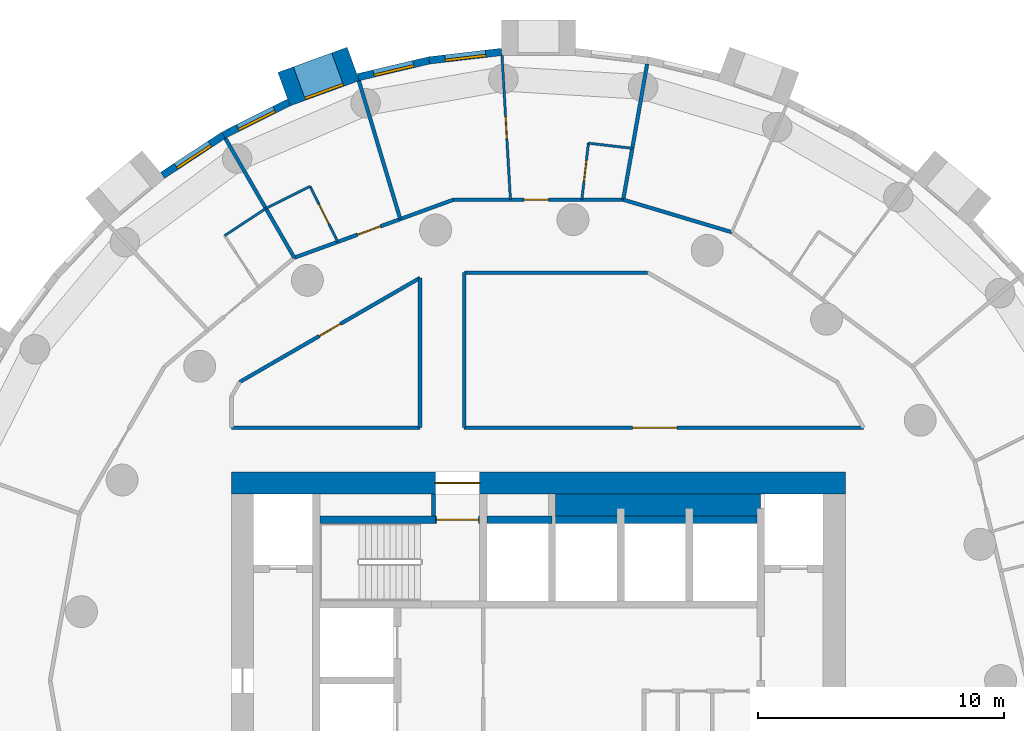
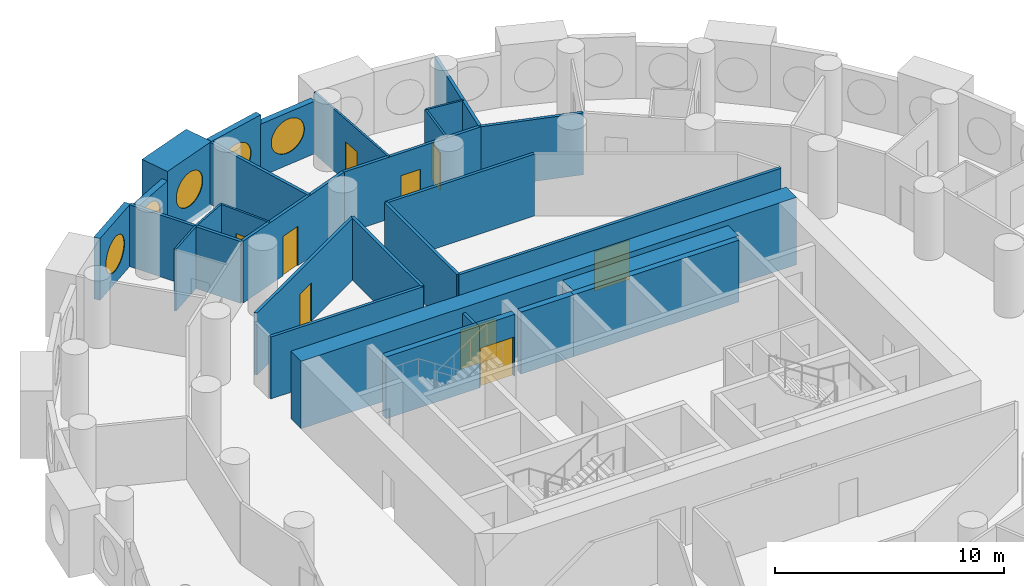
# One storey, part 6 of 9: 30 walls, 9 doors, 5 windows, 14 openings.
"""IFC4 building model written with IfcOpenShell, lengths in metres."""

import ifcopenshell
import ifcopenshell.guid

model = None  # the IFC model being written
_history = None  # IfcOwnerHistory: only IFC2X3 demands one
_inside = {}  # id of a spatial element -> (the spatial element, [elements in it])
_under = {}  # id of a project, library or spatial element -> (it, [spatial elements below it])
_declared = {}  # id of a project -> (the project, [libraries it declares])
_typed = {}  # id of a type object -> (the type object, [elements of that type])
_made_of = {}  # id of a material, layer set ... -> (it, [elements and type objects made of it])


def new_model(schema):
    """Start an empty IFC model of exactly this schema.

    Asked for "IFC4X3", IfcOpenShell would pick the latest addendum, in which some entities
    have other attributes; the version numbers below select the first issue.
    IFC2X3 requires an IfcOwnerHistory on every rooted entity: one is made here for all.
    """
    global model, _history
    if schema == "IFC4X3":
        model = ifcopenshell.file(schema_version=(4, 3, 0, 0))
    else:
        model = ifcopenshell.file(schema=schema)
    _inside.clear()
    _under.clear()
    _declared.clear()
    _typed.clear()
    _made_of.clear()
    _history = None
    if model.schema == "IFC2X3":
        org = make("IfcOrganization", Name="unknown")
        user = make(
            "IfcPersonAndOrganization",
            ThePerson=make("IfcPerson", FamilyName="unknown"),
            TheOrganization=org,
        )
        app = make(
            "IfcApplication",
            ApplicationDeveloper=org,
            Version="unknown",
            ApplicationFullName="unknown",
            ApplicationIdentifier="unknown",
        )
        _history = make(
            "IfcOwnerHistory",
            OwningUser=user,
            OwningApplication=app,
            ChangeAction="ADDED",
            CreationDate=0,
        )
    return model


def make(cls, **values):
    """One entity of the class cls with the attributes given. An attribute that is None is left unset."""
    return model.create_entity(
        cls, **{name: value for name, value in values.items() if value is not None}
    )


def rooted(cls, **values):
    """An entity with a GlobalId (a new one), such as an element, a storey or a relation."""
    return make(cls, GlobalId=ifcopenshell.guid.new(), OwnerHistory=_history, **values)


def si_unit(unit_type, name, prefix=None):
    """IfcSIUnit, for example si_unit("LENGTHUNIT", "METRE", prefix="MILLI")."""
    return make("IfcSIUnit", UnitType=unit_type, Prefix=prefix, Name=name)


def assignment(units):
    """IfcUnitAssignment: the units of a project."""
    return None if units is None else make("IfcUnitAssignment", Units=units)


def point(xyz):
    """IfcCartesianPoint."""
    return None if xyz is None else make("IfcCartesianPoint", Coordinates=xyz)


def direction(xyz):
    """IfcDirection."""
    return None if xyz is None else make("IfcDirection", DirectionRatios=xyz)


def frame(location, z_axis=None, x_axis=None):
    """IfcAxis2Placement3D, a coordinate frame: its origin and axes. An axis left out is left unset."""
    return make(
        "IfcAxis2Placement3D",
        Location=point(location),
        Axis=direction(z_axis),
        RefDirection=direction(x_axis),
    )


def frame_2d(location, x_axis=None):
    """IfcAxis2Placement2D, a coordinate frame in the plane: its origin and x axis."""
    return make(
        "IfcAxis2Placement2D", Location=point(location), RefDirection=direction(x_axis)
    )


def origin():
    """The frame at (0, 0, 0) with its axes left unset."""
    return frame((0.0, 0.0, 0.0))


def origin_2d():
    """The frame at (0, 0) in the plane with its x axis left unset."""
    return frame_2d((0.0, 0.0))


def place(relative_to, where):
    """IfcLocalPlacement: puts the frame where relative to a parent placement (None: the world)."""
    return make(
        "IfcLocalPlacement", PlacementRelTo=relative_to, RelativePlacement=where
    )


def context(
    kind, dimensions, precision=None, world=None, true_north=None, identifier=None
):
    """IfcGeometricRepresentationContext, for example the 3D "Model" context."""
    return make(
        "IfcGeometricRepresentationContext",
        ContextIdentifier=identifier,
        ContextType=kind,
        CoordinateSpaceDimension=dimensions,
        Precision=precision,
        WorldCoordinateSystem=world,
        TrueNorth=true_north,
    )


def subcontext(parent, identifier, kind, view, scale=None):
    """IfcGeometricRepresentationSubContext, for example "Body" below "Model"."""
    return make(
        "IfcGeometricRepresentationSubContext",
        ContextIdentifier=identifier,
        ContextType=kind,
        ParentContext=parent,
        TargetScale=scale,
        TargetView=view,
    )


def project(units=None, contexts=None):
    """IfcProject with its units and contexts."""
    return rooted(
        "IfcProject",
        Name="project",
        RepresentationContexts=contexts,
        UnitsInContext=assignment(units),
    )


def spatial(cls, under=None, at=None, **own):
    """A site, building, storey or space (cls), placed at a placement, below another one or the project."""
    s = rooted(cls, ObjectPlacement=at, **own)
    if under is not None:
        _under.setdefault(under.id(), (under, []))[1].append(s)
    return s


def profile(cls, at=None, kind="AREA", **sizes):
    """A parametric profile (cls). Its sizes go by their IFC names, for example OverallWidth=200.0."""
    return make(cls, ProfileType=kind, Position=at, **sizes)


def rectangle(**sizes):
    """IfcRectangleProfileDef."""
    return profile("IfcRectangleProfileDef", **sizes)


def circle(**sizes):
    """IfcCircleProfileDef."""
    return profile("IfcCircleProfileDef", **sizes)


def extrude(swept, where, along, depth):
    """IfcExtrudedAreaSolid: the profile swept, set in the frame where, extruded along a direction by depth."""
    return make(
        "IfcExtrudedAreaSolid",
        SweptArea=swept,
        Position=where,
        ExtrudedDirection=direction(along),
        Depth=depth,
    )


def shape(context_of_items, identifier, shape_type, items):
    """IfcShapeRepresentation: the items that make up one representation, for example the "Body"."""
    return make(
        "IfcShapeRepresentation",
        ContextOfItems=context_of_items,
        RepresentationIdentifier=identifier,
        RepresentationType=shape_type,
        Items=items,
    )


def material(Name=None, Category=None):
    """IfcMaterial."""
    return make("IfcMaterial", Name=Name, Category=Category)


def layer(
    of_material, thickness, ventilated=None, Name=None, Category=None, Priority=None
):
    """IfcMaterialLayer: one layer of a wall or slab, of a material (None: an air gap)."""
    return make(
        "IfcMaterialLayer",
        Material=of_material,
        LayerThickness=thickness,
        IsVentilated=ventilated,
        Name=Name,
        Category=Category,
        Priority=Priority,
    )


def layer_set(layers, Name=None):
    """IfcMaterialLayerSet."""
    return make("IfcMaterialLayerSet", MaterialLayers=layers, LayerSetName=Name)


def made_of(thing, what):
    """Note that an element or type object is made of a material, layer set ...; save() writes the relation."""
    if what is not None:
        _made_of.setdefault(what.id(), (what, []))[1].append(thing)
    return thing


def type_object(cls, material=None, **own):
    """A type object (cls), such as IfcWallType, which elements share."""
    return made_of(rooted(cls, **own), material)


def element(
    cls,
    number,
    at=None,
    inside=None,
    cuts=None,
    type_object=None,
    material=None,
    context=None,
    identifier="Body",
    shape_type=None,
    held_by="IfcProductDefinitionShape",
    body=None,
    shapes=None,
    **own,
):
    """One element of the class cls, such as IfcWall. Its Tag is "e" and its number.

    at: its placement. inside: the storey or other place that contains it. cuts: it is an
    opening in that element (IfcRelVoidsElement). A single representation is given by context,
    identifier, shape_type and body (its items); several are given by shapes. held_by: the class
    of the entity that holds the representations. save() writes the other relations.
    """
    e = rooted(cls, Tag="e%d" % number, ObjectPlacement=at, **own)
    if body is not None:
        shapes = [shape(context, identifier, shape_type, body)]
    if shapes is not None:
        e.Representation = make(held_by, Representations=shapes)
    if inside is not None:
        _inside.setdefault(inside.id(), (inside, []))[1].append(e)
    if cuts is not None:
        rooted(
            "IfcRelVoidsElement", RelatingBuildingElement=cuts, RelatedOpeningElement=e
        )
    if type_object is not None:
        _typed.setdefault(type_object.id(), (type_object, []))[1].append(e)
    return made_of(e, material)


def fill(opening, filler):
    """IfcRelFillsElement: the door or window that sits in an opening."""
    return rooted(
        "IfcRelFillsElement",
        RelatingOpeningElement=opening,
        RelatedBuildingElement=filler,
    )


def aggregate(whole, parts):
    """IfcRelAggregates: a whole, such as a stair, and the parts it consists of."""
    return rooted("IfcRelAggregates", RelatingObject=whole, RelatedObjects=parts)


def save(model, path):
    """Write the relations noted so far, then the file.

    IfcRelAggregates (storeys below a building ...), IfcRelContainedInSpatialStructure (elements
    in a storey), IfcRelDefinesByType, IfcRelAssociatesMaterial and IfcRelDeclares: one each for
    every whole, place, type object, material and project.
    """
    for whole, parts in _under.values():
        aggregate(whole, parts)
    for where, things in _inside.values():
        rooted(
            "IfcRelContainedInSpatialStructure",
            RelatedElements=things,
            RelatingStructure=where,
        )
    for kind, things in _typed.values():
        rooted("IfcRelDefinesByType", RelatedObjects=things, RelatingType=kind)
    for what, things in _made_of.values():
        rooted("IfcRelAssociatesMaterial", RelatedObjects=things, RelatingMaterial=what)
    for by, libraries in _declared.values():
        rooted("IfcRelDeclares", RelatingContext=by, RelatedDefinitions=libraries)
    model.write(path)


model = new_model("IFC4")

# Units and contexts
model_context = context("Model", 3, precision=1e-05, world=origin(), true_north=direction((0.0, 1.0)))
body_context = subcontext(model_context, "Body", "Model", "MODEL_VIEW")
ifc_project = project(units=[si_unit("LENGTHUNIT", "METRE"), si_unit("AREAUNIT", "SQUARE_METRE"), si_unit("VOLUMEUNIT", "CUBIC_METRE"), si_unit("PLANEANGLEUNIT", "RADIAN"), si_unit("MASSUNIT", "GRAM", prefix="KILO")], contexts=[model_context])

# Site, building, storey
site_placement = place(None, origin())
site = spatial("IfcSite", under=ifc_project, at=site_placement, CompositionType="ELEMENT")
building_placement = place(site_placement, origin())
building = spatial("IfcBuilding", under=site, at=building_placement, Name="Tracery Tower", CompositionType="ELEMENT")
storey_placement = place(building_placement, frame((0.0, 0.0, 172.800048828125)))
storey = spatial("IfcBuildingStorey", under=building, at=storey_placement, Name="L44", CompositionType="ELEMENT", Elevation=172.800048828125)

# Walls
ifc_material_1 = material(Name="Plasterboard on steel studs", Category="steel")
ifc_layer_1 = layer(ifc_material_1, 0.14990234375)
ifc_layer_set_1 = layer_set([ifc_layer_1], Name="Core room partition 150")
wall_type_1 = type_object("IfcWallType", Name="Core room partition 150", PredefinedType="SOLIDWALL", material=ifc_layer_set_1)
wall_1_placement = place(storey_placement, frame((-4.27490234375, 6.699951171875, 0.0), z_axis=(0.0, 0.0, 1.0), x_axis=(0.0, 1.0, 0.0)))
element("IfcWall", 1, at=wall_1_placement, inside=storey, type_object=wall_type_1, Name="L44 F N room", PredefinedType="SOLIDWALL", context=body_context, shape_type="SweptSolid", body=[
    extrude(rectangle(XDim=0.900146484375, YDim=0.14990234375, at=frame_2d((0.4501953125, 0.0))), origin(), (0.0, 0.0, 1.0), 3.300048828125),
])
ifc_material_2 = material(Name="Concrete C50/60", Category="concrete")
ifc_layer_2 = layer(ifc_material_2, 0.89990234375)
ifc_layer_set_2 = layer_set([ifc_layer_2], Name="Core strip wall 900 C50")
wall_type_2 = type_object("IfcWallType", Name="Core strip wall 900 C50", PredefinedType="SOLIDWALL", material=ifc_layer_set_2)
wall_2_placement = place(storey_placement, frame((0.699951171875, 7.14990234375, 0.0), z_axis=(0.0, 0.0, 1.0), x_axis=(1.0, 0.0, 0.0)))
element("IfcWall", 2, at=wall_2_placement, inside=storey, type_object=wall_type_2, Name="L44 F thick N E", PredefinedType="SOLIDWALL", context=body_context, shape_type="SweptSolid", body=[
    extrude(rectangle(XDim=8.35009765625, YDim=0.89990234375, at=frame_2d((4.175048828125, 0.0))), origin(), (0.0, 0.0, 1.0), 3.300048828125),
])

# Wall, opening, door
ifc_material_3 = material(Name="Concrete C50/60", Category="concrete")
ifc_layer_3 = layer(ifc_material_3, 0.89990234375)
ifc_layer_set_3 = layer_set([ifc_layer_3], Name="Core wall 900 C50")
wall_type_3 = type_object("IfcWallType", Name="Core wall 900 C50", PredefinedType="SOLIDWALL", material=ifc_layer_set_3)
wall_3_placement = place(storey_placement, frame((-12.5, 8.050048828125, 0.0), z_axis=(0.0, 0.0, 1.0), x_axis=(1.0, 0.0, 0.0)))
wall_3 = element("IfcWall", 3, at=wall_3_placement, inside=storey, type_object=wall_type_3, Name="L44 outer N", PredefinedType="SOLIDWALL", context=body_context, shape_type="SweptSolid", body=[
    extrude(rectangle(XDim=25.0, YDim=0.89990234375, at=frame_2d((12.5, 0.0))), origin(), (0.0, 0.0, 1.0), 3.599853515625),
])
opening_1_placement = place(wall_3_placement, frame((8.300048828125, 0.0, 0.0)))
opening_1 = element("IfcOpeningElement", 4, at=opening_1_placement, cuts=wall_3, Name="Opening KD13", PredefinedType="OPENING", context=body_context, shape_type="SweptSolid", body=[
    extrude(rectangle(XDim=1.800048828125, YDim=2.10009765625, at=frame_2d((0.89990234375, 1.050048828125))), frame((0.0, 0.449951171875, 0.0), z_axis=(0.0, -1.0, 0.0), x_axis=(1.0, 0.0, 0.0)), (0.0, 0.0, 1.0), 0.89990234375),
])
ifc_material_4 = material(Name="Steel fire door", Category="steel")
door_type_1 = type_object("IfcDoorType", Name="Core exit door 1800 double", OperationType="NOTDEFINED", PredefinedType="DOOR", material=ifc_material_4)
door_1_placement = place(opening_1_placement, origin())
door_1 = element("IfcDoor", 5, at=door_1_placement, inside=storey, type_object=door_type_1, Name="Core exit door", OperationType="DOUBLE_DOOR_SINGLE_SWING", OverallHeight=2.10009765625, OverallWidth=1.800048828125, PredefinedType="DOOR", context=body_context, shape_type="SweptSolid", body=[
    extrude(rectangle(XDim=1.800048828125, YDim=2.10009765625, at=frame_2d((0.89990234375, 1.050048828125))), frame((0.0, 0.02490234375, 0.0), z_axis=(0.0, -1.0, 0.0), x_axis=(1.0, 0.0, 0.0)), (0.0, 0.0, 1.0), 0.050048828125),
])
fill(opening_1, door_1)

# Wall, opening, window
ifc_material_5 = material(Name="Precast concrete C50/60", Category="concrete")
ifc_layer_4 = layer(ifc_material_5, 1.449951171875)
ifc_layer_set_4 = layer_set([ifc_layer_4], Name="Deep-set bay unit 3000 x 3600, slab edge 300")
wall_type_4 = type_object("IfcWallType", Name="Deep-set bay unit 3000 x 3600, slab edge 300", PredefinedType="ELEMENTEDWALL", material=ifc_layer_set_4)
wall_4_placement = place(storey_placement, frame((-7.544189453125, 25.11328125, -0.300048828125), z_axis=(0.0, 0.0, 1.0), x_axis=(-0.939686455819, -0.342037080957, 0.0)))
wall_4 = element("IfcWall", 6, at=wall_4_placement, inside=storey, type_object=wall_type_4, Name="Deep-set bay unit 17 at L44", PredefinedType="ELEMENTEDWALL", context=body_context, shape_type="SweptSolid", body=[
    extrude(rectangle(XDim=3.0, YDim=1.449951171875, at=frame_2d((1.5, 0.0))), origin(), (0.0, 0.0, 1.0), 3.60009765625),
])
opening_2_placement = place(wall_4_placement, frame((1.5, 0.0, 1.85009765625)))
opening_2 = element("IfcOpeningElement", 7, at=opening_2_placement, cuts=wall_4, Name="Opening WN1", PredefinedType="OPENING", context=body_context, shape_type="SweptSolid", body=[
    extrude(circle(Radius=0.9000244140625, at=origin_2d()), frame((0.0, 0.73486328125, 0.0), z_axis=(0.0, -1.0, 0.0), x_axis=(1.0, 0.0, 0.0)), (0.0, 0.0, 1.0), 1.469970703125),
])
ifc_material_6 = material(Name="Aluminium frame with tinted double glazing", Category="aluminium")
window_type = type_object("IfcWindowType", Name="Round window 1800", PartitioningType="SINGLE_PANEL", PredefinedType="WINDOW", material=ifc_material_6)
window_1_placement = place(opening_2_placement, origin())
window_1 = element("IfcWindow", 8, at=window_1_placement, inside=storey, type_object=window_type, Name="Round window 17 at L44", OverallHeight=1.800048828125, OverallWidth=1.800048828125, PartitioningType="SINGLE_PANEL", PredefinedType="WINDOW", context=body_context, shape_type="SweptSolid", body=[
    extrude(circle(Radius=0.9000244140625, at=origin_2d()), frame((0.0, 0.69482421875, 0.0), z_axis=(0.0, -1.0, 0.0), x_axis=(1.0, 0.0, 0.0)), (0.0, 0.0, 1.0), 0.10009765625),
])
fill(opening_2, window_1)

ifc_material_7 = material(Name="Precast concrete C50/60", Category="concrete")
ifc_layer_5 = layer(ifc_material_7, 0.300048828125)
ifc_layer_set_5 = layer_set([ifc_layer_5], Name="Facade panel 3000 x 2800")
wall_type_5 = type_object("IfcWallType", Name="Facade panel 3000 x 2800", PredefinedType="SOLIDWALL", material=ifc_layer_set_5)
wall_5_placement = place(storey_placement, frame((-1.500732421875, 25.60302734375, 0.0), z_axis=(0.0, 0.0, 1.0), x_axis=(-0.993235542767, -0.116116995244, 0.0)))
wall_5 = element("IfcWall", 9, at=wall_5_placement, inside=storey, type_object=wall_type_5, Name="Facade panel 15 at L44", PredefinedType="SOLIDWALL", context=body_context, shape_type="SweptSolid", body=[
    extrude(rectangle(XDim=2.972900390625, YDim=0.300048828125, at=frame_2d((1.486328125, 0.0))), origin(), (0.0, 0.0, 1.0), 2.800048828125),
])
opening_3_placement = place(wall_5_placement, frame((1.486328125, 0.0, 1.5498046875)))
opening_3 = element("IfcOpeningElement", 10, at=opening_3_placement, cuts=wall_5, Name="Opening WN1", PredefinedType="OPENING", context=body_context, shape_type="SweptSolid", body=[
    extrude(circle(Radius=0.9000244140625, at=origin_2d()), frame((0.0, 0.159912109375, 0.0), z_axis=(0.0, -1.0, 0.0), x_axis=(1.0, 0.0, 0.0)), (0.0, 0.0, 1.0), 0.320068359375),
])
window_2_placement = place(opening_3_placement, origin())
window_2 = element("IfcWindow", 11, at=window_2_placement, inside=storey, type_object=window_type, Name="Round window 15 at L44", OverallHeight=1.800048828125, OverallWidth=1.800048828125, PartitioningType="SINGLE_PANEL", PredefinedType="WINDOW", context=body_context, shape_type="SweptSolid", body=[
    extrude(circle(Radius=0.9000244140625, at=origin_2d()), frame((0.0, 0.1201171875, 0.0), z_axis=(0.0, -1.0, 0.0), x_axis=(1.0, 0.0, 0.0)), (0.0, 0.0, 1.0), 0.10009765625),
])
fill(opening_3, window_2)

wall_6_placement = place(storey_placement, frame((-10.1669921875, 23.545654296875, 0.0), z_axis=(0.0, 0.0, 1.0), x_axis=(-0.893637442555, -0.448789618045, 0.0)))
wall_6 = element("IfcWall", 12, at=wall_6_placement, inside=storey, type_object=wall_type_5, Name="Facade panel 18 at L44", PredefinedType="SOLIDWALL", context=body_context, shape_type="SweptSolid", body=[
    extrude(rectangle(XDim=2.972900390625, YDim=0.300048828125, at=frame_2d((1.486328125, 0.0))), origin(), (0.0, 0.0, 1.0), 2.800048828125),
])
opening_4_placement = place(wall_6_placement, frame((1.486328125, 0.0, 1.5498046875)))
opening_4 = element("IfcOpeningElement", 13, at=opening_4_placement, cuts=wall_6, Name="Opening WN1", PredefinedType="OPENING", context=body_context, shape_type="SweptSolid", body=[
    extrude(circle(Radius=0.9000244140625, at=origin_2d()), frame((0.0, 0.159912109375, 0.0), z_axis=(0.0, -1.0, 0.0), x_axis=(1.0, 0.0, 0.0)), (0.0, 0.0, 1.0), 0.320068359375),
])
window_3_placement = place(opening_4_placement, origin())
window_3 = element("IfcWindow", 14, at=window_3_placement, inside=storey, type_object=window_type, Name="Round window 18 at L44", OverallHeight=1.800048828125, OverallWidth=1.800048828125, PartitioningType="SINGLE_PANEL", PredefinedType="WINDOW", context=body_context, shape_type="SweptSolid", body=[
    extrude(circle(Radius=0.9000244140625, at=origin_2d()), frame((0.0, 0.1201171875, 0.0), z_axis=(0.0, -1.0, 0.0), x_axis=(1.0, 0.0, 0.0)), (0.0, 0.0, 1.0), 0.10009765625),
])
fill(opening_4, window_3)

ifc_material_8 = material(Name="Precast concrete C50/60", Category="concrete")
ifc_layer_6 = layer(ifc_material_8, 0.300048828125)
ifc_layer_set_6 = layer_set([ifc_layer_6], Name="Facade panel 3000 x 3300")
wall_type_6 = type_object("IfcWallType", Name="Facade panel 3000 x 3300", PredefinedType="SOLIDWALL", material=ifc_layer_set_6)
wall_7_placement = place(storey_placement, frame((-4.45361328125, 25.2578125, 0.0), z_axis=(0.0, 0.0, 1.0), x_axis=(-0.973049746156, -0.230595298102, 0.0)))
wall_7 = element("IfcWall", 15, at=wall_7_placement, inside=storey, type_object=wall_type_6, Name="Facade panel 16 at L44", PredefinedType="SOLIDWALL", context=body_context, shape_type="SweptSolid", body=[
    extrude(rectangle(XDim=2.972900390625, YDim=0.300048828125, at=frame_2d((1.486328125, 0.0))), origin(), (0.0, 0.0, 1.0), 3.300048828125),
])
opening_5_placement = place(wall_7_placement, frame((1.486328125, 0.0, 1.5498046875)))
opening_5 = element("IfcOpeningElement", 16, at=opening_5_placement, cuts=wall_7, Name="Opening WN1", PredefinedType="OPENING", context=body_context, shape_type="SweptSolid", body=[
    extrude(circle(Radius=0.9000244140625, at=origin_2d()), frame((0.0, 0.159912109375, 0.0), z_axis=(0.0, -1.0, 0.0), x_axis=(1.0, 0.0, 0.0)), (0.0, 0.0, 1.0), 0.320068359375),
])
window_4_placement = place(opening_5_placement, origin())
window_4 = element("IfcWindow", 17, at=window_4_placement, inside=storey, type_object=window_type, Name="Round window 16 at L44", OverallHeight=1.800048828125, OverallWidth=1.800048828125, PartitioningType="SINGLE_PANEL", PredefinedType="WINDOW", context=body_context, shape_type="SweptSolid", body=[
    extrude(circle(Radius=0.9000244140625, at=origin_2d()), frame((0.0, 0.1201171875, 0.0), z_axis=(0.0, -1.0, 0.0), x_axis=(1.0, 0.0, 0.0)), (0.0, 0.0, 1.0), 0.10009765625),
])
fill(opening_5, window_4)

wall_8_placement = place(storey_placement, frame((-12.82373046875, 22.21142578125, 0.0), z_axis=(0.0, 0.0, 1.0), x_axis=(-0.835470659512, -0.549535055382, 0.0)))
wall_8 = element("IfcWall", 18, at=wall_8_placement, inside=storey, type_object=wall_type_6, Name="Facade panel 19 at L44", PredefinedType="SOLIDWALL", context=body_context, shape_type="SweptSolid", body=[
    extrude(rectangle(XDim=2.97314453125, YDim=0.300048828125, at=frame_2d((1.486572265625, 0.0))), origin(), (0.0, 0.0, 1.0), 3.300048828125),
])
opening_6_placement = place(wall_8_placement, frame((1.486328125, 0.0, 1.5498046875)))
opening_6 = element("IfcOpeningElement", 19, at=opening_6_placement, cuts=wall_8, Name="Opening WN1", PredefinedType="OPENING", context=body_context, shape_type="SweptSolid", body=[
    extrude(circle(Radius=0.9000244140625, at=origin_2d()), frame((0.0, 0.159912109375, 0.0), z_axis=(0.0, -1.0, 0.0), x_axis=(1.0, 0.0, 0.0)), (0.0, 0.0, 1.0), 0.320068359375),
])
window_5_placement = place(opening_6_placement, origin())
window_5 = element("IfcWindow", 20, at=window_5_placement, inside=storey, type_object=window_type, Name="Round window 19 at L44", OverallHeight=1.800048828125, OverallWidth=1.800048828125, PartitioningType="SINGLE_PANEL", PredefinedType="WINDOW", context=body_context, shape_type="SweptSolid", body=[
    extrude(circle(Radius=0.9000244140625, at=origin_2d()), frame((0.0, 0.1201171875, 0.0), z_axis=(0.0, -1.0, 0.0), x_axis=(1.0, 0.0, 0.0)), (0.0, 0.0, 1.0), 0.10009765625),
])
fill(opening_6, window_5)

# Wall, opening, door
ifc_material_9 = material(Name="Plasterboard on steel studs", Category="steel")
ifc_layer_7 = layer(ifc_material_9, 0.10009765625)
ifc_layer_set_7 = layer_set([ifc_layer_7], Name="Partition 100 stud")
wall_type_7 = type_object("IfcWallType", Name="Partition 100 stud", PredefinedType="PARTITIONING", material=ifc_layer_set_7)
wall_9_placement = place(storey_placement, frame((-1.48291015625, 25.4541015625, 0.0), z_axis=(0.0, 0.0, 1.0), x_axis=(0.058147412668, -0.998308007781, 0.0)))
wall_9 = element("IfcWall", 21, at=wall_9_placement, inside=storey, type_object=wall_type_7, Name="Stud partition RB5-052", PredefinedType="PARTITIONING", context=body_context, shape_type="SweptSolid", body=[
    extrude(rectangle(XDim=5.878173828125, YDim=0.10009765625, at=frame_2d((2.93896484375, 0.0))), origin(), (0.0, 0.0, 1.0), 3.300048828125),
])
opening_7_placement = place(wall_9_placement, frame((2.489013671875, 0.0, 0.0)))
opening_7 = element("IfcOpeningElement", 22, at=opening_7_placement, cuts=wall_9, Name="Opening RB5-13", PredefinedType="OPENING", context=body_context, shape_type="SweptSolid", body=[
    extrude(rectangle(XDim=0.89990234375, YDim=2.10009765625, at=frame_2d((0.449951171875, 1.050048828125))), frame((0.0, 0.050048828125, 0.0), z_axis=(0.0, -1.0, 0.0), x_axis=(1.0, 0.0, 0.0)), (0.0, 0.0, 1.0), 0.10009765625),
])
ifc_material_10 = material(Name="Timber door leaf", Category="wood")
door_type_2 = type_object("IfcDoorType", Name="Door bedroom 900", OperationType="NOTDEFINED", PredefinedType="DOOR", material=ifc_material_10)
door_2_placement = place(opening_7_placement, origin())
door_2 = element("IfcDoor", 23, at=door_2_placement, inside=storey, type_object=door_type_2, Name="Bedroom door RB5-13", OperationType="SINGLE_SWING_RIGHT", OverallHeight=2.10009765625, OverallWidth=0.89990234375, PredefinedType="DOOR", context=body_context, shape_type="SweptSolid", body=[
    extrude(rectangle(XDim=0.89990234375, YDim=2.10009765625, at=frame_2d((0.449951171875, 1.050048828125))), frame((0.0, 0.02490234375, 0.0), z_axis=(0.0, -1.0, 0.0), x_axis=(1.0, 0.0, 0.0)), (0.0, 0.0, 1.0), 0.050048828125),
])
fill(opening_7, door_2)

# Wall
ifc_material_11 = material(Name="Plasterboard on steel studs", Category="steel")
ifc_layer_8 = layer(ifc_material_11, 0.10009765625)
ifc_layer_set_8 = layer_set([ifc_layer_8], Name="Partition 100 wet wall")
wall_type_8 = type_object("IfcWallType", Name="Partition 100 wet wall", PredefinedType="PARTITIONING", material=ifc_layer_set_8)
wall_10_placement = place(storey_placement, frame((2.037109375, 21.886962890625, 0.0), z_axis=(0.0, 0.0, 1.0), x_axis=(0.993215363366, -0.116289474906, 0.0)))
element("IfcWall", 24, at=wall_10_placement, inside=storey, type_object=wall_type_8, Name="Wet wall RB5-053", PredefinedType="PARTITIONING", context=body_context, shape_type="SweptSolid", body=[
    extrude(rectangle(XDim=1.797119140625, YDim=0.10009765625, at=frame_2d((0.8984375, 0.0))), origin(), (0.0, 0.0, 1.0), 3.300048828125),
])

# Wall, opening, door
wall_11_placement = place(storey_placement, frame((1.76806640625, 19.5859375, 0.0), z_axis=(0.0, 0.0, 1.0), x_axis=(0.116131951318, 0.993233794171, 0.0)))
wall_11 = element("IfcWall", 25, at=wall_11_placement, inside=storey, type_object=wall_type_8, Name="Wet wall RB5-054", PredefinedType="PARTITIONING", context=body_context, shape_type="SweptSolid", body=[
    extrude(rectangle(XDim=2.316650390625, YDim=0.10009765625, at=frame_2d((1.158203125, 0.0))), origin(), (0.0, 0.0, 1.0), 3.300048828125),
])
opening_8_placement = place(wall_11_placement, frame((0.708740234375, 0.0, 0.0)))
opening_8 = element("IfcOpeningElement", 26, at=opening_8_placement, cuts=wall_11, Name="Opening RB5-14", PredefinedType="OPENING", context=body_context, shape_type="SweptSolid", body=[
    extrude(rectangle(XDim=0.89990234375, YDim=2.0, at=frame_2d((0.449951171875, 1.0))), frame((0.0, 0.050048828125, 0.0), z_axis=(0.0, -1.0, 0.0), x_axis=(1.0, 0.0, 0.0)), (0.0, 0.0, 1.0), 0.10009765625),
])
ifc_material_12 = material(Name="Timber door leaf", Category="wood")
door_type_3 = type_object("IfcDoorType", Name="Door shower room 900", OperationType="NOTDEFINED", PredefinedType="DOOR", material=ifc_material_12)
door_3_placement = place(opening_8_placement, origin())
door_3 = element("IfcDoor", 27, at=door_3_placement, inside=storey, type_object=door_type_3, Name="Shower room door RB5-14", OperationType="SINGLE_SWING_LEFT", OverallHeight=2.0, OverallWidth=0.89990234375, PredefinedType="DOOR", context=body_context, shape_type="SweptSolid", body=[
    extrude(rectangle(XDim=0.89990234375, YDim=2.0, at=frame_2d((0.449951171875, 1.0))), frame((0.0, 0.02490234375, 0.0), z_axis=(0.0, -1.0, 0.0), x_axis=(1.0, 0.0, 0.0)), (0.0, 0.0, 1.0), 0.050048828125),
])
fill(opening_8, door_3)

wall_12_placement = place(storey_placement, frame((-9.305908203125, 20.1279296875, 0.0), z_axis=(0.0, 0.0, 1.0), x_axis=(0.448950999616, -0.893556377597, 0.0)))
wall_12 = element("IfcWall", 28, at=wall_12_placement, inside=storey, type_object=wall_type_8, Name="Wet wall RB5-056", PredefinedType="PARTITIONING", context=body_context, shape_type="SweptSolid", body=[
    extrude(rectangle(XDim=2.528076171875, YDim=0.10009765625, at=frame_2d((1.26416015625, 0.0))), origin(), (0.0, 0.0, 1.0), 3.300048828125),
])
opening_9_placement = place(wall_12_placement, frame((0.814208984375, 0.0, 0.0)))
opening_9 = element("IfcOpeningElement", 29, at=opening_9_placement, cuts=wall_12, Name="Opening RB5-16", PredefinedType="OPENING", context=body_context, shape_type="SweptSolid", body=[
    extrude(rectangle(XDim=0.89990234375, YDim=2.0400390625, at=frame_2d((0.449951171875, 1.02001953125))), frame((0.0, 0.050048828125, 0.0), z_axis=(0.0, -1.0, 0.0), x_axis=(1.0, 0.0, 0.0)), (0.0, 0.0, 1.0), 0.10009765625),
])
ifc_material_13 = material(Name="Timber door leaf", Category="wood")
door_type_4 = type_object("IfcDoorType", Name="Door en-suite 900", OperationType="NOTDEFINED", PredefinedType="DOOR", material=ifc_material_13)
door_4_placement = place(opening_9_placement, origin())
door_4 = element("IfcDoor", 30, at=door_4_placement, inside=storey, type_object=door_type_4, Name="En-suite door RB5-16", OperationType="SINGLE_SWING_LEFT", OverallHeight=2.0400390625, OverallWidth=0.89990234375, PredefinedType="DOOR", context=body_context, shape_type="SweptSolid", body=[
    extrude(rectangle(XDim=0.89990234375, YDim=2.0400390625, at=frame_2d((0.449951171875, 1.02001953125))), frame((0.0, 0.02490234375, 0.0), z_axis=(0.0, -1.0, 0.0), x_axis=(1.0, 0.0, 0.0)), (0.0, 0.0, 1.0), 0.050048828125),
])
fill(opening_9, door_4)

# Walls
for number, where, z_axis, x_axis, name in (
    (31, (-11.10107421875, 19.22705078125, 0.0), (0.0, 0.0, 1.0), (0.8937698483, 0.448525872464, 0.0), "Wet wall RB5-057"),
    (32, (-12.779052734375, 18.123046875, 0.0), (0.0, 0.0, 1.0), (0.835400926368, 0.549641057622, 0.0), "Wet wall RB5-059"),
):
    element("IfcWall", number, at=place(storey_placement, frame(where, z_axis=z_axis, x_axis=x_axis)), inside=storey, type_object=wall_type_8, Name=name, PredefinedType="PARTITIONING", context=body_context, shape_type="SweptSolid", body=[
        extrude(rectangle(XDim=2.008544921875, YDim=0.10009765625, at=frame_2d((1.00439453125, 0.0))), origin(), (0.0, 0.0, 1.0), 3.300048828125),
    ])
ifc_material_14 = material(Name="Plasterboard on steel studs", Category="steel")
ifc_layer_9 = layer(ifc_material_14, 0.14990234375)
ifc_layer_set_9 = layer_set([ifc_layer_9], Name="Partition 150 acoustic unit wall")
wall_type_9 = type_object("IfcWallType", Name="Partition 150 acoustic unit wall", PredefinedType="PARTITIONING", material=ifc_layer_set_9)
wall_13_placement = place(storey_placement, frame((3.45361328125, 19.5859375, 0.0), z_axis=(0.0, 0.0, 1.0), x_axis=(0.173700915874, 0.984798452387, 0.0)))
element("IfcWall", 33, at=wall_13_placement, inside=storey, type_object=wall_type_9, Name="Unit wall RB5-051", PredefinedType="PARTITIONING", context=body_context, shape_type="SweptSolid", body=[
    extrude(rectangle(XDim=5.609375, YDim=0.14990234375, at=frame_2d((2.8046875, 0.0))), origin(), (0.0, 0.0, 1.0), 3.300048828125),
])
wall_14_placement = place(storey_placement, frame((-7.31298828125, 24.426025390625, 0.0), z_axis=(0.0, 0.0, 1.0), x_axis=(0.286833432865, -0.957980470464, 0.0)))
element("IfcWall", 34, at=wall_14_placement, inside=storey, type_object=wall_type_9, Name="Unit wall RB5-055", PredefinedType="PARTITIONING", context=body_context, shape_type="SweptSolid", body=[
    extrude(rectangle(XDim=5.878173828125, YDim=0.14990234375, at=frame_2d((2.93896484375, 0.0))), origin(), (0.0, 0.0, 1.0), 3.300048828125),
])
wall_15_placement = place(storey_placement, frame((-12.7490234375, 22.0810546875, 0.0), z_axis=(0.0, 0.0, 1.0), x_axis=(0.500061505771, -0.865989890499, 0.0)))
element("IfcWall", 35, at=wall_15_placement, inside=storey, type_object=wall_type_9, Name="Unit wall RB5-058", PredefinedType="PARTITIONING", context=body_context, shape_type="SweptSolid", body=[
    extrude(rectangle(XDim=5.609619140625, YDim=0.14990234375, at=frame_2d((2.8046875, 0.0))), origin(), (0.0, 0.0, 1.0), 3.300048828125),
])
ifc_material_15 = material(Name="Plasterboard on steel studs", Category="steel")
ifc_layer_10 = layer(ifc_material_15, 0.14990234375)
ifc_layer_set_10 = layer_set([ifc_layer_10], Name="Partition 150 corridor wall")
wall_type_10 = type_object("IfcWallType", Name="Partition 150 corridor wall", PredefinedType="PARTITIONING", material=ifc_layer_set_10)
wall_16_placement = place(storey_placement, frame((-12.50390625, 10.300048828125, 0.0), z_axis=(0.0, 0.0, 1.0), x_axis=(1.0, 0.0, 0.0)))
element("IfcWall", 36, at=wall_16_placement, inside=storey, type_object=wall_type_10, Name="Corridor wall RB5-001", PredefinedType="PARTITIONING", context=body_context, shape_type="SweptSolid", body=[
    extrude(rectangle(XDim=7.68701171875, YDim=0.14990234375, at=frame_2d((3.843505859375, 0.0))), origin(), (0.0, 0.0, 1.0), 3.300048828125),
])

# Wall, opening, door
wall_17_placement = place(storey_placement, frame((-3.02490234375, 10.300048828125, 0.0), z_axis=(0.0, 0.0, 1.0), x_axis=(1.0, 0.0, 0.0)))
wall_17 = element("IfcWall", 37, at=wall_17_placement, inside=storey, type_object=wall_type_10, Name="Corridor wall RB5-002", PredefinedType="PARTITIONING", context=body_context, shape_type="SweptSolid", body=[
    extrude(rectangle(XDim=16.261962890625, YDim=0.14990234375, at=frame_2d((8.130859375, 0.0))), origin(), (0.0, 0.0, 1.0), 3.300048828125),
])
opening_10_placement = place(wall_17_placement, frame((6.863037109375, 0.0, 0.0)))
opening_10 = element("IfcOpeningElement", 38, at=opening_10_placement, cuts=wall_17, Name="Opening RB5-02", PredefinedType="OPENING", context=body_context, shape_type="SweptSolid", body=[
    extrude(rectangle(XDim=1.800048828125, YDim=2.10009765625, at=frame_2d((0.89990234375, 1.050048828125))), frame((0.0, 0.074951171875, 0.0), z_axis=(0.0, -1.0, 0.0), x_axis=(1.0, 0.0, 0.0)), (0.0, 0.0, 1.0), 0.14990234375),
])
ifc_material_16 = material(Name="Timber door leaf", Category="wood")
door_type_5 = type_object("IfcDoorType", Name="Door double lounge 1800", OperationType="NOTDEFINED", PredefinedType="DOOR", material=ifc_material_16)
door_5_placement = place(opening_10_placement, origin())
door_5 = element("IfcDoor", 39, at=door_5_placement, inside=storey, type_object=door_type_5, Name="Double lounge door RB5-02", OperationType="DOUBLE_DOOR_SINGLE_SWING", OverallHeight=2.10009765625, OverallWidth=1.800048828125, PredefinedType="DOOR", context=body_context, shape_type="SweptSolid", body=[
    extrude(rectangle(XDim=1.800048828125, YDim=2.10009765625, at=frame_2d((0.89990234375, 1.050048828125))), frame((0.0, 0.02490234375, 0.0), z_axis=(0.0, -1.0, 0.0), x_axis=(1.0, 0.0, 0.0)), (0.0, 0.0, 1.0), 0.050048828125),
])
fill(opening_10, door_5)

# Wall
wall_18_placement = place(storey_placement, frame((-4.821044921875, 10.300048828125, 0.0), z_axis=(0.0, 0.0, 1.0), x_axis=(0.0, 1.0, 0.0)))
element("IfcWall", 40, at=wall_18_placement, inside=storey, type_object=wall_type_10, Name="Corridor wall RB5-013", PredefinedType="PARTITIONING", context=body_context, shape_type="SweptSolid", body=[
    extrude(rectangle(XDim=6.100830078125, YDim=0.14990234375, at=frame_2d((3.05029296875, 0.0))), origin(), (0.0, 0.0, 1.0), 3.300048828125),
])

# Wall, opening, door
wall_19_placement = place(storey_placement, frame((-12.162109375, 12.162109375, 0.0), z_axis=(0.0, 0.0, 1.0), x_axis=(0.866004766557, 0.500035743023, 0.0)))
wall_19 = element("IfcWall", 41, at=wall_19_placement, inside=storey, type_object=wall_type_10, Name="Corridor wall RB5-014", PredefinedType="PARTITIONING", context=body_context, shape_type="SweptSolid", body=[
    extrude(rectangle(XDim=8.47705078125, YDim=0.14990234375, at=frame_2d((4.238525390625, 0.0))), origin(), (0.0, 0.0, 1.0), 3.300048828125),
])
opening_11_placement = place(wall_19_placement, frame((3.739013671875, 0.0, 0.0)))
opening_11 = element("IfcOpeningElement", 42, at=opening_11_placement, cuts=wall_19, Name="Opening RB5-01", PredefinedType="OPENING", context=body_context, shape_type="SweptSolid", body=[
    extrude(rectangle(XDim=1.0, YDim=2.0400390625, at=frame_2d((0.5, 1.02001953125))), frame((0.0, 0.074951171875, 0.0), z_axis=(0.0, -1.0, 0.0), x_axis=(1.0, 0.0, 0.0)), (0.0, 0.0, 1.0), 0.14990234375),
])
ifc_material_17 = material(Name="Timber door leaf", Category="wood")
door_type_6 = type_object("IfcDoorType", Name="Door communal room 1000", OperationType="NOTDEFINED", PredefinedType="DOOR", material=ifc_material_17)
door_6_placement = place(opening_11_placement, origin())
door_6 = element("IfcDoor", 43, at=door_6_placement, inside=storey, type_object=door_type_6, Name="Communal room door RB5-01", OperationType="SINGLE_SWING_LEFT", OverallHeight=2.0400390625, OverallWidth=1.0, PredefinedType="DOOR", context=body_context, shape_type="SweptSolid", body=[
    extrude(rectangle(XDim=1.0, YDim=2.0400390625, at=frame_2d((0.5, 1.02001953125))), frame((0.0, 0.02490234375, 0.0), z_axis=(0.0, -1.0, 0.0), x_axis=(1.0, 0.0, 0.0)), (0.0, 0.0, 1.0), 0.050048828125),
])
fill(opening_11, door_6)

# Walls
wall_20_placement = place(storey_placement, frame((-3.02099609375, 16.614013671875, 0.0), z_axis=(0.0, 0.0, 1.0), x_axis=(1.0, 0.0, 0.0)))
element("IfcWall", 44, at=wall_20_placement, inside=storey, type_object=wall_type_10, Name="Corridor wall RB5-016", PredefinedType="PARTITIONING", context=body_context, shape_type="SweptSolid", body=[
    extrude(rectangle(XDim=7.472900390625, YDim=0.14990234375, at=frame_2d((3.736328125, 0.0))), origin(), (0.0, 0.0, 1.0), 3.300048828125),
])
wall_21_placement = place(storey_placement, frame((-3.02099609375, 10.300048828125, 0.0), z_axis=(0.0, 0.0, 1.0), x_axis=(0.0, 1.0, 0.0)))
element("IfcWall", 45, at=wall_21_placement, inside=storey, type_object=wall_type_10, Name="Corridor wall RB5-017", PredefinedType="PARTITIONING", context=body_context, shape_type="SweptSolid", body=[
    extrude(rectangle(XDim=6.31396484375, YDim=0.14990234375, at=frame_2d((3.156982421875, 0.0))), origin(), (0.0, 0.0, 1.0), 3.300048828125),
])
wall_22_placement = place(storey_placement, frame((3.452880859375, 19.5859375, 0.0), z_axis=(0.0, 0.0, 1.0), x_axis=(0.95796149329, -0.286896806141, 0.0)))
element("IfcWall", 46, at=wall_22_placement, inside=storey, type_object=wall_type_10, Name="Corridor wall RB5-018", PredefinedType="PARTITIONING", context=body_context, shape_type="SweptSolid", body=[
    extrude(rectangle(XDim=4.6181640625, YDim=0.14990234375, at=frame_2d((2.30908203125, 0.0))), origin(), (0.0, 0.0, 1.0), 3.300048828125),
])

# Wall, opening, door
wall_23_placement = place(storey_placement, frame((-3.452880859375, 19.5859375, 0.0), z_axis=(0.0, 0.0, 1.0), x_axis=(1.0, 0.0, 0.0)))
wall_23 = element("IfcWall", 47, at=wall_23_placement, inside=storey, type_object=wall_type_10, Name="Corridor wall RB5-019", PredefinedType="PARTITIONING", context=body_context, shape_type="SweptSolid", body=[
    extrude(rectangle(XDim=6.90576171875, YDim=0.14990234375, at=frame_2d((3.452880859375, 0.0))), origin(), (0.0, 0.0, 1.0), 3.300048828125),
])
opening_12_placement = place(wall_23_placement, frame((2.865966796875, 0.0, 0.0)))
opening_12 = element("IfcOpeningElement", 48, at=opening_12_placement, cuts=wall_23, Name="Opening RB5-15", PredefinedType="OPENING", context=body_context, shape_type="SweptSolid", body=[
    extrude(rectangle(XDim=1.0, YDim=2.10009765625, at=frame_2d((0.5, 1.050048828125))), frame((0.0, 0.074951171875, 0.0), z_axis=(0.0, -1.0, 0.0), x_axis=(1.0, 0.0, 0.0)), (0.0, 0.0, 1.0), 0.14990234375),
])
ifc_material_18 = material(Name="Timber door leaf", Category="wood")
door_type_7 = type_object("IfcDoorType", Name="Door unit entrance 1000", OperationType="NOTDEFINED", PredefinedType="DOOR", material=ifc_material_18)
door_7_placement = place(opening_12_placement, origin())
door_7 = element("IfcDoor", 49, at=door_7_placement, inside=storey, type_object=door_type_7, Name="Unit entrance door RB5-15", OperationType="SINGLE_SWING_LEFT", OverallHeight=2.10009765625, OverallWidth=1.0, PredefinedType="DOOR", context=body_context, shape_type="SweptSolid", body=[
    extrude(rectangle(XDim=1.0, YDim=2.10009765625, at=frame_2d((0.5, 1.050048828125))), frame((0.0, 0.02490234375, 0.0), z_axis=(0.0, -1.0, 0.0), x_axis=(1.0, 0.0, 0.0)), (0.0, 0.0, 1.0), 0.050048828125),
])
fill(opening_12, door_7)

wall_24_placement = place(storey_placement, frame((-9.943603515625, 17.2216796875, 0.0), z_axis=(0.0, 0.0, 1.0), x_axis=(0.939607544688, 0.342253797591, 0.0)))
wall_24 = element("IfcWall", 50, at=wall_24_placement, inside=storey, type_object=wall_type_10, Name="Corridor wall RB5-020", PredefinedType="PARTITIONING", context=body_context, shape_type="SweptSolid", body=[
    extrude(rectangle(XDim=6.907958984375, YDim=0.14990234375, at=frame_2d((3.4541015625, 0.0))), origin(), (0.0, 0.0, 1.0), 3.300048828125),
])
opening_13_placement = place(wall_24_placement, frame((2.740478515625, 0.0, 0.0)))
opening_13 = element("IfcOpeningElement", 51, at=opening_13_placement, cuts=wall_24, Name="Opening RB5-17", PredefinedType="OPENING", context=body_context, shape_type="SweptSolid", body=[
    extrude(rectangle(XDim=1.0, YDim=2.10009765625, at=frame_2d((0.5, 1.050048828125))), frame((0.0, 0.074951171875, 0.0), z_axis=(0.0, -1.0, 0.0), x_axis=(1.0, 0.0, 0.0)), (0.0, 0.0, 1.0), 0.14990234375),
])
door_8_placement = place(opening_13_placement, origin())
door_8 = element("IfcDoor", 52, at=door_8_placement, inside=storey, type_object=door_type_7, Name="Unit entrance door RB5-17", OperationType="SINGLE_SWING_LEFT", OverallHeight=2.10009765625, OverallWidth=1.0, PredefinedType="DOOR", context=body_context, shape_type="SweptSolid", body=[
    extrude(rectangle(XDim=1.0, YDim=2.10009765625, at=frame_2d((0.5, 1.050048828125))), frame((0.0, 0.02490234375, 0.0), z_axis=(0.0, -1.0, 0.0), x_axis=(1.0, 0.0, 0.0)), (0.0, 0.0, 1.0), 0.050048828125),
])
fill(opening_13, door_8)

# Wall
ifc_material_19 = material(Name="Concrete C50/60", Category="concrete")
ifc_layer_11 = layer(ifc_material_19, 0.300048828125)
ifc_layer_set_11 = layer_set([ifc_layer_11], Name="Stair wall 300 C50")
wall_type_11 = type_object("IfcWallType", Name="Stair wall 300 C50", PredefinedType="SOLIDWALL", material=ifc_layer_set_11)
wall_25_placement = place(storey_placement, frame((-8.89990234375, 6.550048828125, 0.0), z_axis=(0.0, 0.0, 1.0), x_axis=(1.0, 0.0, 0.0)))
element("IfcWall", 53, at=wall_25_placement, inside=storey, type_object=wall_type_11, Name="L44 F N W", PredefinedType="SOLIDWALL", context=body_context, shape_type="SweptSolid", body=[
    extrude(rectangle(XDim=4.699951171875, YDim=0.300048828125, at=frame_2d((2.35009765625, 0.0))), origin(), (0.0, 0.0, 1.0), 3.300048828125),
])

# Wall, opening, door
wall_26_placement = place(storey_placement, frame((-4.199951171875, 6.550048828125, 0.0), z_axis=(0.0, 0.0, 1.0), x_axis=(1.0, 0.0, 0.0)))
wall_26 = element("IfcWall", 54, at=wall_26_placement, inside=storey, type_object=wall_type_11, Name="L44 F stair N", PredefinedType="SOLIDWALL", context=body_context, shape_type="SweptSolid", body=[
    extrude(rectangle(XDim=1.800048828125, YDim=0.300048828125, at=frame_2d((0.89990234375, 0.0))), origin(), (0.0, 0.0, 1.0), 3.300048828125),
])
opening_14_placement = place(wall_26_placement, frame((0.050048828125, 0.0, 0.0)))
opening_14 = element("IfcOpeningElement", 55, at=opening_14_placement, cuts=wall_26, Name="Opening KD3", PredefinedType="OPENING", context=body_context, shape_type="SweptSolid", body=[
    extrude(rectangle(XDim=1.699951171875, YDim=2.10009765625, at=frame_2d((0.85009765625, 1.050048828125))), frame((0.0, 0.14990234375, 0.0), z_axis=(0.0, -1.0, 0.0), x_axis=(1.0, 0.0, 0.0)), (0.0, 0.0, 1.0), 0.300048828125),
])
ifc_material_20 = material(Name="Steel fire door", Category="steel")
door_type_8 = type_object("IfcDoorType", Name="Core stair door 1700 double", OperationType="NOTDEFINED", PredefinedType="DOOR", material=ifc_material_20)
door_9_placement = place(opening_14_placement, origin())
door_9 = element("IfcDoor", 56, at=door_9_placement, inside=storey, type_object=door_type_8, Name="Stair door vest", OperationType="DOUBLE_DOOR_SINGLE_SWING", OverallHeight=2.10009765625, OverallWidth=1.699951171875, PredefinedType="DOOR", context=body_context, shape_type="SweptSolid", body=[
    extrude(rectangle(XDim=1.699951171875, YDim=2.10009765625, at=frame_2d((0.85009765625, 1.050048828125))), frame((0.0, 0.02490234375, 0.0), z_axis=(0.0, -1.0, 0.0), x_axis=(1.0, 0.0, 0.0)), (0.0, 0.0, 1.0), 0.050048828125),
])
fill(opening_14, door_9)

# Walls
wall_27_placement = place(storey_placement, frame((-2.10009765625, 6.550048828125, 0.0), z_axis=(0.0, 0.0, 1.0), x_axis=(1.0, 0.0, 0.0)))
element("IfcWall", 57, at=wall_27_placement, inside=storey, type_object=wall_type_11, Name="L44 F N E1", PredefinedType="SOLIDWALL", context=body_context, shape_type="SweptSolid", body=[
    extrude(rectangle(XDim=2.650146484375, YDim=0.300048828125, at=frame_2d((1.3251953125, 0.0))), origin(), (0.0, 0.0, 1.0), 3.300048828125),
])
wall_28_placement = place(storey_placement, frame((0.550048828125, 6.550048828125, 0.0), z_axis=(0.0, 0.0, 1.0), x_axis=(1.0, 0.0, 0.0)))
element("IfcWall", 58, at=wall_28_placement, inside=storey, type_object=wall_type_11, Name="L44 F stair strip N E", PredefinedType="SOLIDWALL", context=body_context, shape_type="SweptSolid", body=[
    extrude(rectangle(XDim=8.349853515625, YDim=0.300048828125, at=frame_2d((4.1748046875, 0.0))), origin(), (0.0, 0.0, 1.0), 3.300048828125),
])

save(model, "model.ifc")
